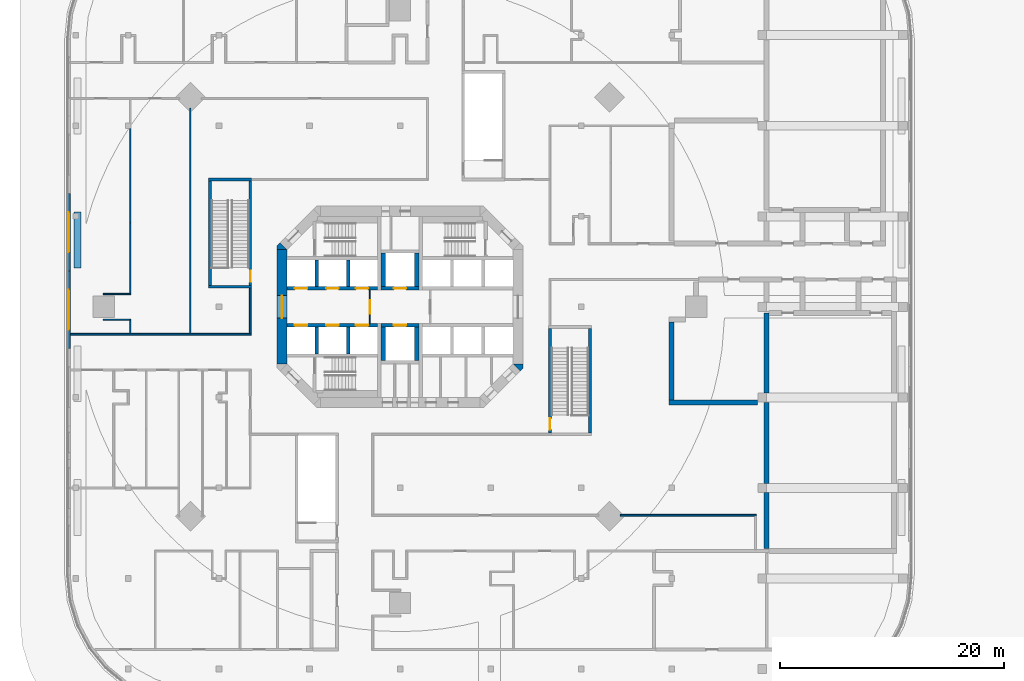
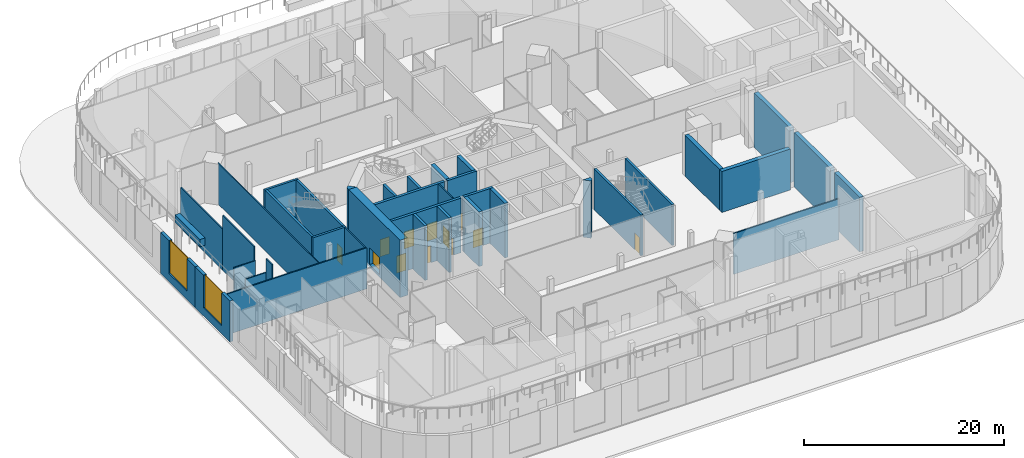
# One storey, part 9 of 17: 39 walls, 12 doors, 2 windows, 14 openings.
"""IFC4 building model written with IfcOpenShell, lengths in metres."""

from ifc_helpers import new_model, si_unit, direction, frame, frame_2d, origin, place, context, subcontext, project, spatial, polyline, rectangle, outline, extrude, material, layer, layer_set, type_object, element, fill, save


model = new_model("IFC4")

# Units and contexts
model_context = context("Model", 3, precision=1e-05, world=origin(), true_north=direction((0.0, 1.0)))
body_context = subcontext(model_context, "Body", "Model", "MODEL_VIEW")
ifc_project = project(units=[si_unit("LENGTHUNIT", "METRE"), si_unit("AREAUNIT", "SQUARE_METRE"), si_unit("VOLUMEUNIT", "CUBIC_METRE"), si_unit("PLANEANGLEUNIT", "RADIAN"), si_unit("MASSUNIT", "GRAM", prefix="KILO")], contexts=[model_context])

# Site, building, storey
site_placement = place(None, origin())
site = spatial("IfcSite", under=ifc_project, at=site_placement, CompositionType="ELEMENT")
building_placement = place(site_placement, origin())
building = spatial("IfcBuilding", under=site, at=building_placement, Name="Torre Triforio", CompositionType="ELEMENT")
storey_placement = place(building_placement, frame((0.0, 0.0, 13.0)))
storey = spatial("IfcBuildingStorey", under=building, at=storey_placement, Name="L02", CompositionType="ELEMENT", Elevation=13.0)

# Wall, opening, door
ifc_material_1 = material(Name="Concrete C60", Category="concrete")
ifc_layer_1 = layer(ifc_material_1, 0.89990234375)
ifc_layer_set_1 = layer_set([ifc_layer_1], Name="Concrete C60")
wall_type_1 = type_object("IfcWallType", Name="Core wall 900 mm C60 EI 120", PredefinedType="SHEAR", material=ifc_layer_set_1)
wall_1_placement = place(storey_placement, frame((-10.550048828125, -5.1298828125, -0.320068359375), z_axis=(0.0, 0.0, 1.0), x_axis=(0.0, 1.0, 0.0)))
wall_1 = element("IfcWall", 1, at=wall_1_placement, inside=storey, type_object=wall_type_1, Name="Core wall", PredefinedType="SHEAR", context=body_context, shape_type="SweptSolid", body=[
    extrude(rectangle(XDim=10.259765625, YDim=0.89990234375, at=frame_2d((5.1298828125, 0.0))), origin(), (0.0, 0.0, 1.0), 7.0),
])
opening_1_placement = place(wall_1_placement, frame((4.1298828125, 0.0, 0.320068359375)))
opening_1 = element("IfcOpeningElement", 2, at=opening_1_placement, cuts=wall_1, Name="Opening W-RING", PredefinedType="OPENING", context=body_context, shape_type="SweptSolid", body=[
    extrude(rectangle(XDim=2.0, YDim=2.10009765625, at=frame_2d((1.0, 1.050048828125))), frame((0.0, 0.4599609375, 0.0), z_axis=(0.0, -1.0, 0.0), x_axis=(1.0, 0.0, 0.0)), (0.0, 0.0, 1.0), 0.919921875),
])
ifc_material_2 = material(Name="Hollow metal fire door leaf")
door_type_1 = type_object("IfcDoorType", Name="Lobby door 2000 x 2100 EI 60", OperationType="DOUBLE_DOOR_SINGLE_SWING", PredefinedType="DOOR", material=ifc_material_2)
door_1_placement = place(opening_1_placement, origin())
door_1 = element("IfcDoor", 3, at=door_1_placement, inside=storey, type_object=door_type_1, Name="Core door W-RING", OperationType="DOUBLE_DOOR_SINGLE_SWING", OverallHeight=2.10009765625, OverallWidth=2.0, PredefinedType="DOOR", context=body_context, shape_type="SweptSolid", body=[
    extrude(rectangle(XDim=2.0, YDim=2.10009765625, at=frame_2d((1.0, 1.050048828125))), frame((0.0, 0.02490234375, 0.0), z_axis=(0.0, -1.0, 0.0), x_axis=(1.0, 0.0, 0.0)), (0.0, 0.0, 1.0), 0.050048828125),
])
fill(opening_1, door_1)

# Walls
wall_2_placement = place(storey_placement, frame((0.0, 0.0, -0.320068359375)))
element("IfcWall", 4, at=wall_2_placement, inside=storey, type_object=wall_type_1, Name="Core wall", PredefinedType="SHEAR", context=body_context, shape_type="SweptSolid", body=[
    extrude(outline(polyline([(11.0, -5.472900390625), (10.736328125, -5.736328125), (10.1298828125, -5.1298828125), (11.0, -5.1298828125), (11.0, -5.472900390625)])), origin(), (0.0, 0.0, 1.0), 7.0),
])
wall_3_placement = place(storey_placement, frame((0.0, 0.0, -0.320068359375)))
element("IfcWall", 5, at=wall_3_placement, inside=storey, type_object=wall_type_1, Name="Core wall", PredefinedType="SHEAR", context=body_context, shape_type="SweptSolid", body=[
    extrude(outline(polyline([(-10.736328125, 5.736328125), (-10.1298828125, 5.1298828125), (-11.0, 5.1298828125), (-11.0, 5.472900390625), (-10.736328125, 5.736328125)])), origin(), (0.0, 0.0, 1.0), 7.0),
])
ifc_material_3 = material(Name="Plasterboard on metal studs")
ifc_layer_2 = layer(ifc_material_3, 0.14990234375)
ifc_layer_set_2 = layer_set([ifc_layer_2], Name="Plasterboard on metal studs")
wall_type_2 = type_object("IfcWallType", Name="Corridor wall 150 EI 60", PredefinedType="PARTITIONING", material=ifc_layer_set_2)
wall_4_placement = place(storey_placement, frame((-13.39990234375, -2.375, 0.0), z_axis=(0.0, 0.0, 1.0), x_axis=(0.0, 1.0, 0.0)))
element("IfcWall", 6, at=wall_4_placement, inside=storey, type_object=wall_type_2, Name="Corridor wall L02 145", PredefinedType="PARTITIONING", context=body_context, shape_type="SweptSolid", body=[
    extrude(rectangle(XDim=4.050048828125, YDim=0.14990234375, at=frame_2d((2.02490234375, 0.0))), origin(), (0.0, 0.0, 1.0), 5.0),
])
wall_5_placement = place(storey_placement, frame((19.6982421875, -18.64990234375, 0.0), z_axis=(0.0, 0.0, 1.0), x_axis=(1.0, 0.0, 0.0)))
element("IfcWall", 7, at=wall_5_placement, inside=storey, type_object=wall_type_2, Name="Corridor wall L02 148", PredefinedType="PARTITIONING", context=body_context, shape_type="SweptSolid", body=[
    extrude(rectangle(XDim=12.1767578125, YDim=0.14990234375, at=frame_2d((6.08837890625, 0.0))), origin(), (0.0, 0.0, 1.0), 5.0),
])
wall_6_placement = place(storey_placement, frame((-29.5, -2.449951171875, 0.0), z_axis=(0.0, 0.0, 1.0), x_axis=(1.0, 0.0, 0.0)))
element("IfcWall", 8, at=wall_6_placement, inside=storey, type_object=wall_type_2, Name="Corridor wall L02 193", PredefinedType="PARTITIONING", context=body_context, shape_type="SweptSolid", body=[
    extrude(rectangle(XDim=16.175048828125, YDim=0.14990234375, at=frame_2d((8.08740234375, 0.0))), origin(), (0.0, 0.0, 1.0), 5.0),
])

# Wall, opening, door
ifc_material_4 = material(Name="Block and board partition")
ifc_layer_3 = layer(ifc_material_4, 0.10009765625)
ifc_layer_set_3 = layer_set([ifc_layer_3], Name="Block and board partition")
wall_type_3 = type_object("IfcWallType", Name="Partition 100 mm EI 120", PredefinedType="PARTITIONING", material=ifc_layer_set_3)
wall_7_placement = place(storey_placement, frame((-2.699951171875, -1.5, 0.0), z_axis=(0.0, 0.0, 1.0), x_axis=(0.0, 1.0, 0.0)))
wall_7 = element("IfcWall", 9, at=wall_7_placement, inside=storey, type_object=wall_type_3, Name="Partition", PredefinedType="PARTITIONING", context=body_context, shape_type="SweptSolid", body=[
    extrude(rectangle(XDim=3.0, YDim=0.10009765625, at=frame_2d((1.5, 0.0))), origin(), (0.0, 0.0, 1.0), 6.679931640625),
])
opening_2_placement = place(wall_7_placement, frame((0.89990234375, 0.0, 0.0)))
opening_2 = element("IfcOpeningElement", 10, at=opening_2_placement, cuts=wall_7, Name="Opening FF-W", PredefinedType="OPENING", context=body_context, shape_type="SweptSolid", body=[
    extrude(rectangle(XDim=1.199951171875, YDim=2.10009765625, at=frame_2d((0.60009765625, 1.050048828125))), frame((0.0, 0.06005859375, 0.0), z_axis=(0.0, -1.0, 0.0), x_axis=(1.0, 0.0, 0.0)), (0.0, 0.0, 1.0), 0.1201171875),
])
door_type_2 = type_object("IfcDoorType", Name="Fire-fighting lobby door 1200 x 2100 EI 60", OperationType="NOTDEFINED", PredefinedType="DOOR", material=ifc_material_2)
door_2_placement = place(opening_2_placement, origin())
door_2 = element("IfcDoor", 11, at=door_2_placement, inside=storey, type_object=door_type_2, Name="Core door FF-W", OperationType="SINGLE_SWING_RIGHT", OverallHeight=2.10009765625, OverallWidth=1.199951171875, PredefinedType="DOOR", context=body_context, shape_type="SweptSolid", body=[
    extrude(rectangle(XDim=1.199951171875, YDim=2.10009765625, at=frame_2d((0.60009765625, 1.050048828125))), frame((0.0, 0.02490234375, 0.0), z_axis=(0.0, -1.0, 0.0), x_axis=(1.0, 0.0, 0.0)), (0.0, 0.0, 1.0), 0.050048828125),
])
fill(opening_2, door_2)

# Walls
ifc_layer_4 = layer(ifc_material_3, 0.1201171875)
ifc_layer_set_4 = layer_set([ifc_layer_4], Name="Plasterboard on metal studs")
wall_type_4 = type_object("IfcWallType", Name="Partition 120", PredefinedType="PARTITIONING", material=ifc_layer_set_4)
for number, where, z_axis, x_axis, name in (
    (12, (-26.56005859375, -1.14990234375, 0.0), (0.0, 0.0, 1.0), (1.0, 0.0, 0.0), "Partition L02 187"),
    (13, (-26.56005859375, 1.14990234375, 0.0), (0.0, 0.0, 1.0), (1.0, 0.0, 0.0), "Partition L02 188"),
):
    element("IfcWall", number, at=place(storey_placement, frame(where, z_axis=z_axis, x_axis=x_axis)), inside=storey, type_object=wall_type_4, Name=name, PredefinedType="PARTITIONING", context=body_context, shape_type="SweptSolid", body=[
        extrude(rectangle(XDim=2.48681640625, YDim=0.1201171875, at=frame_2d((1.243408203125, 0.0))), origin(), (0.0, 0.0, 1.0), 5.0),
    ])
wall_8_placement = place(storey_placement, frame((-24.13330078125, -2.375, 0.0), z_axis=(0.0, 0.0, 1.0), x_axis=(0.0, 1.0, 0.0)))
element("IfcWall", 14, at=wall_8_placement, inside=storey, type_object=wall_type_4, Name="Partition L02 189", PredefinedType="PARTITIONING", context=body_context, shape_type="SweptSolid", body=[
    extrude(rectangle(XDim=1.1650390625, YDim=0.1201171875, at=frame_2d((0.58251953125, 0.0))), origin(), (0.0, 0.0, 1.0), 6.679931640625),
])
wall_9_placement = place(storey_placement, frame((-24.13330078125, 1.2099609375, 0.0), z_axis=(0.0, 0.0, 1.0), x_axis=(0.0, 1.0, 0.0)))
element("IfcWall", 15, at=wall_9_placement, inside=storey, type_object=wall_type_4, Name="Partition L02 190", PredefinedType="PARTITIONING", context=body_context, shape_type="SweptSolid", body=[
    extrude(rectangle(XDim=6.30810546875, YDim=0.1201171875, at=frame_2d((3.154052734375, 0.0))), origin(), (0.0, 0.0, 1.0), 6.679931640625),
])
wall_10_placement = place(storey_placement, frame((-24.13330078125, 7.51806640625, 0.0), z_axis=(0.0, 0.0, 1.0), x_axis=(0.0, 1.0, 0.0)))
element("IfcWall", 16, at=wall_10_placement, inside=storey, type_object=wall_type_4, Name="Partition L02 191", PredefinedType="PARTITIONING", context=body_context, shape_type="SweptSolid", body=[
    extrude(rectangle(XDim=8.421875, YDim=0.1201171875, at=frame_2d((4.2109375, 0.0))), origin(), (0.0, 0.0, 1.0), 5.0),
])
wall_11_placement = place(storey_placement, frame((-18.7666015625, -2.375, 0.0), z_axis=(0.0, 0.0, 1.0), x_axis=(0.0, 1.0, 0.0)))
element("IfcWall", 17, at=wall_11_placement, inside=storey, type_object=wall_type_4, Name="Partition L02 194", PredefinedType="PARTITIONING", context=body_context, shape_type="SweptSolid", body=[
    extrude(rectangle(XDim=20.1533203125, YDim=0.1201171875, at=frame_2d((10.07666015625, 0.0))), origin(), (0.0, 0.0, 1.0), 5.0),
])

# Wall, openings, doors
ifc_layer_5 = layer(ifc_material_1, 0.300048828125)
ifc_layer_set_5 = layer_set([ifc_layer_5], Name="Concrete C60")
wall_type_5 = type_object("IfcWallType", Name="Shaft wall 300 mm C60 EI 120", PredefinedType="SOLIDWALL", material=ifc_layer_set_5)
wall_12_placement = place(storey_placement, frame((-10.10009765625, 1.64990234375, 0.0), z_axis=(0.0, 0.0, 1.0), x_axis=(1.0, 0.0, 0.0)))
wall_12 = element("IfcWall", 18, at=wall_12_placement, inside=storey, type_object=wall_type_5, Name="Shaft wall", PredefinedType="SOLIDWALL", context=body_context, shape_type="SweptSolid", body=[
    extrude(rectangle(XDim=8.10009765625, YDim=0.300048828125, at=frame_2d((4.050048828125, 0.0))), origin(), (0.0, 0.0, 1.0), 6.679931640625),
])
opening_3_placement = place(wall_12_placement, frame((0.699951171875, 0.0, 0.0)))
opening_3 = element("IfcOpeningElement", 19, at=opening_3_placement, cuts=wall_12, Name="Opening LD", PredefinedType="OPENING", context=body_context, shape_type="SweptSolid", body=[
    extrude(rectangle(XDim=1.10009765625, YDim=2.10009765625, at=frame_2d((0.550048828125, 1.050048828125))), frame((0.0, 0.159912109375, 0.0), z_axis=(0.0, -1.0, 0.0), x_axis=(1.0, 0.0, 0.0)), (0.0, 0.0, 1.0), 0.320068359375),
])
opening_4_placement = place(wall_12_placement, frame((3.5, 0.0, 0.0)))
opening_4 = element("IfcOpeningElement", 20, at=opening_4_placement, cuts=wall_12, Name="Opening LD", PredefinedType="OPENING", context=body_context, shape_type="SweptSolid", body=[
    extrude(rectangle(XDim=1.10009765625, YDim=2.10009765625, at=frame_2d((0.550048828125, 1.050048828125))), frame((0.0, 0.159912109375, 0.0), z_axis=(0.0, -1.0, 0.0), x_axis=(1.0, 0.0, 0.0)), (0.0, 0.0, 1.0), 0.320068359375),
])
opening_5_placement = place(wall_12_placement, frame((6.14990234375, 0.0, 0.0)))
opening_5 = element("IfcOpeningElement", 21, at=opening_5_placement, cuts=wall_12, Name="Opening LD", PredefinedType="OPENING", context=body_context, shape_type="SweptSolid", body=[
    extrude(rectangle(XDim=1.10009765625, YDim=2.10009765625, at=frame_2d((0.550048828125, 1.050048828125))), frame((0.0, 0.159912109375, 0.0), z_axis=(0.0, -1.0, 0.0), x_axis=(1.0, 0.0, 0.0)), (0.0, 0.0, 1.0), 0.320068359375),
])
door_type_3 = type_object("IfcDoorType", Name="Landing door 1100 x 2100 EI 60", OperationType="DOUBLE_DOOR_SLIDING", PredefinedType="DOOR", material=ifc_material_2)
door_3_placement = place(opening_3_placement, origin())
door_3 = element("IfcDoor", 22, at=door_3_placement, inside=storey, type_object=door_type_3, Name="Landing door LR1", OperationType="DOUBLE_DOOR_SLIDING", OverallHeight=2.10009765625, OverallWidth=1.10009765625, PredefinedType="DOOR", context=body_context, shape_type="SweptSolid", body=[
    extrude(rectangle(XDim=1.10009765625, YDim=2.10009765625, at=frame_2d((0.550048828125, 1.050048828125))), frame((0.0, 0.02490234375, 0.0), z_axis=(0.0, -1.0, 0.0), x_axis=(1.0, 0.0, 0.0)), (0.0, 0.0, 1.0), 0.050048828125),
])
fill(opening_3, door_3)
door_4_placement = place(opening_4_placement, origin())
door_4 = element("IfcDoor", 23, at=door_4_placement, inside=storey, type_object=door_type_3, Name="Landing door LR2", OperationType="DOUBLE_DOOR_SLIDING", OverallHeight=2.10009765625, OverallWidth=1.10009765625, PredefinedType="DOOR", context=body_context, shape_type="SweptSolid", body=[
    extrude(rectangle(XDim=1.10009765625, YDim=2.10009765625, at=frame_2d((0.550048828125, 1.050048828125))), frame((0.0, 0.02490234375, 0.0), z_axis=(0.0, -1.0, 0.0), x_axis=(1.0, 0.0, 0.0)), (0.0, 0.0, 1.0), 0.050048828125),
])
fill(opening_4, door_4)
door_5_placement = place(opening_5_placement, origin())
door_5 = element("IfcDoor", 24, at=door_5_placement, inside=storey, type_object=door_type_3, Name="Landing door LR3", OperationType="DOUBLE_DOOR_SLIDING", OverallHeight=2.10009765625, OverallWidth=1.10009765625, PredefinedType="DOOR", context=body_context, shape_type="SweptSolid", body=[
    extrude(rectangle(XDim=1.10009765625, YDim=2.10009765625, at=frame_2d((0.550048828125, 1.050048828125))), frame((0.0, 0.02490234375, 0.0), z_axis=(0.0, -1.0, 0.0), x_axis=(1.0, 0.0, 0.0)), (0.0, 0.0, 1.0), 0.050048828125),
])
fill(opening_5, door_5)

wall_13_placement = place(storey_placement, frame((-10.10009765625, -1.64990234375, 0.0), z_axis=(0.0, 0.0, 1.0), x_axis=(1.0, 0.0, 0.0)))
wall_13 = element("IfcWall", 25, at=wall_13_placement, inside=storey, type_object=wall_type_5, Name="Shaft wall", PredefinedType="SOLIDWALL", context=body_context, shape_type="SweptSolid", body=[
    extrude(rectangle(XDim=8.10009765625, YDim=0.300048828125, at=frame_2d((4.050048828125, 0.0))), origin(), (0.0, 0.0, 1.0), 6.679931640625),
])
opening_6_placement = place(wall_13_placement, frame((0.699951171875, 0.0, 0.0)))
opening_6 = element("IfcOpeningElement", 26, at=opening_6_placement, cuts=wall_13, Name="Opening LD", PredefinedType="OPENING", context=body_context, shape_type="SweptSolid", body=[
    extrude(rectangle(XDim=1.10009765625, YDim=2.10009765625, at=frame_2d((0.550048828125, 1.050048828125))), frame((0.0, 0.159912109375, 0.0), z_axis=(0.0, -1.0, 0.0), x_axis=(1.0, 0.0, 0.0)), (0.0, 0.0, 1.0), 0.320068359375),
])
opening_7_placement = place(wall_13_placement, frame((3.5, 0.0, 0.0)))
opening_7 = element("IfcOpeningElement", 27, at=opening_7_placement, cuts=wall_13, Name="Opening LD", PredefinedType="OPENING", context=body_context, shape_type="SweptSolid", body=[
    extrude(rectangle(XDim=1.10009765625, YDim=2.10009765625, at=frame_2d((0.550048828125, 1.050048828125))), frame((0.0, 0.159912109375, 0.0), z_axis=(0.0, -1.0, 0.0), x_axis=(1.0, 0.0, 0.0)), (0.0, 0.0, 1.0), 0.320068359375),
])
opening_8_placement = place(wall_13_placement, frame((6.14990234375, 0.0, 0.0)))
opening_8 = element("IfcOpeningElement", 28, at=opening_8_placement, cuts=wall_13, Name="Opening LD", PredefinedType="OPENING", context=body_context, shape_type="SweptSolid", body=[
    extrude(rectangle(XDim=1.10009765625, YDim=2.10009765625, at=frame_2d((0.550048828125, 1.050048828125))), frame((0.0, 0.159912109375, 0.0), z_axis=(0.0, -1.0, 0.0), x_axis=(1.0, 0.0, 0.0)), (0.0, 0.0, 1.0), 0.320068359375),
])
door_6_placement = place(opening_6_placement, origin())
door_6 = element("IfcDoor", 29, at=door_6_placement, inside=storey, type_object=door_type_3, Name="Landing door LR4", OperationType="DOUBLE_DOOR_SLIDING", OverallHeight=2.10009765625, OverallWidth=1.10009765625, PredefinedType="DOOR", context=body_context, shape_type="SweptSolid", body=[
    extrude(rectangle(XDim=1.10009765625, YDim=2.10009765625, at=frame_2d((0.550048828125, 1.050048828125))), frame((0.0, 0.02490234375, 0.0), z_axis=(0.0, -1.0, 0.0), x_axis=(1.0, 0.0, 0.0)), (0.0, 0.0, 1.0), 0.050048828125),
])
fill(opening_6, door_6)
door_7_placement = place(opening_7_placement, origin())
door_7 = element("IfcDoor", 30, at=door_7_placement, inside=storey, type_object=door_type_3, Name="Landing door LR5", OperationType="DOUBLE_DOOR_SLIDING", OverallHeight=2.10009765625, OverallWidth=1.10009765625, PredefinedType="DOOR", context=body_context, shape_type="SweptSolid", body=[
    extrude(rectangle(XDim=1.10009765625, YDim=2.10009765625, at=frame_2d((0.550048828125, 1.050048828125))), frame((0.0, 0.02490234375, 0.0), z_axis=(0.0, -1.0, 0.0), x_axis=(1.0, 0.0, 0.0)), (0.0, 0.0, 1.0), 0.050048828125),
])
fill(opening_7, door_7)
door_8_placement = place(opening_8_placement, origin())
door_8 = element("IfcDoor", 31, at=door_8_placement, inside=storey, type_object=door_type_3, Name="Landing door LR6", OperationType="DOUBLE_DOOR_SLIDING", OverallHeight=2.10009765625, OverallWidth=1.10009765625, PredefinedType="DOOR", context=body_context, shape_type="SweptSolid", body=[
    extrude(rectangle(XDim=1.10009765625, YDim=2.10009765625, at=frame_2d((0.550048828125, 1.050048828125))), frame((0.0, 0.02490234375, 0.0), z_axis=(0.0, -1.0, 0.0), x_axis=(1.0, 0.0, 0.0)), (0.0, 0.0, 1.0), 0.050048828125),
])
fill(opening_8, door_8)

# Walls
for number, where, z_axis, x_axis, name in (
    (32, (-7.449951171875, 1.800048828125, 0.0), (0.0, 0.0, 1.0), (0.0, 1.0, 0.0), "Shaft wall"),
    (33, (-7.449951171875, -4.199951171875, 0.0), (0.0, 0.0, 1.0), (0.0, 1.0, 0.0), "Shaft wall"),
    (34, (-4.64990234375, 1.800048828125, 0.0), (0.0, 0.0, 1.0), (0.0, 1.0, 0.0), "Shaft wall"),
    (35, (-4.64990234375, -4.199951171875, 0.0), (0.0, 0.0, 1.0), (0.0, 1.0, 0.0), "Shaft wall"),
):
    element("IfcWall", number, at=place(storey_placement, frame(where, z_axis=z_axis, x_axis=x_axis)), inside=storey, type_object=wall_type_5, Name=name, PredefinedType="SOLIDWALL", context=body_context, shape_type="SweptSolid", body=[
        extrude(rectangle(XDim=2.39990234375, YDim=0.300048828125, at=frame_2d((1.199951171875, 0.0))), origin(), (0.0, 0.0, 1.0), 6.679931640625),
    ])

# Wall, opening, door
wall_14_placement = place(storey_placement, frame((-1.699951171875, 1.64990234375, 0.0), z_axis=(0.0, 0.0, 1.0), x_axis=(1.0, 0.0, 0.0)))
wall_14 = element("IfcWall", 36, at=wall_14_placement, inside=storey, type_object=wall_type_5, Name="Shaft wall", PredefinedType="SOLIDWALL", context=body_context, shape_type="SweptSolid", body=[
    extrude(rectangle(XDim=3.39990234375, YDim=0.300048828125, at=frame_2d((1.699951171875, 0.0))), origin(), (0.0, 0.0, 1.0), 6.679931640625),
])
opening_9_placement = place(wall_14_placement, frame((1.14990234375, 0.0, 0.0)))
opening_9 = element("IfcOpeningElement", 37, at=opening_9_placement, cuts=wall_14, Name="Opening LD", PredefinedType="OPENING", context=body_context, shape_type="SweptSolid", body=[
    extrude(rectangle(XDim=1.10009765625, YDim=2.10009765625, at=frame_2d((0.550048828125, 1.050048828125))), frame((0.0, 0.159912109375, 0.0), z_axis=(0.0, -1.0, 0.0), x_axis=(1.0, 0.0, 0.0)), (0.0, 0.0, 1.0), 0.320068359375),
])
door_9_placement = place(opening_9_placement, origin())
door_9 = element("IfcDoor", 38, at=door_9_placement, inside=storey, type_object=door_type_3, Name="Landing door FFL1", OperationType="DOUBLE_DOOR_SLIDING", OverallHeight=2.10009765625, OverallWidth=1.10009765625, PredefinedType="DOOR", context=body_context, shape_type="SweptSolid", body=[
    extrude(rectangle(XDim=1.10009765625, YDim=2.10009765625, at=frame_2d((0.550048828125, 1.050048828125))), frame((0.0, 0.02490234375, 0.0), z_axis=(0.0, -1.0, 0.0), x_axis=(1.0, 0.0, 0.0)), (0.0, 0.0, 1.0), 0.050048828125),
])
fill(opening_9, door_9)

wall_15_placement = place(storey_placement, frame((-1.699951171875, -1.64990234375, 0.0), z_axis=(0.0, 0.0, 1.0), x_axis=(1.0, 0.0, 0.0)))
wall_15 = element("IfcWall", 39, at=wall_15_placement, inside=storey, type_object=wall_type_5, Name="Shaft wall", PredefinedType="SOLIDWALL", context=body_context, shape_type="SweptSolid", body=[
    extrude(rectangle(XDim=3.39990234375, YDim=0.300048828125, at=frame_2d((1.699951171875, 0.0))), origin(), (0.0, 0.0, 1.0), 6.679931640625),
])
opening_10_placement = place(wall_15_placement, frame((1.14990234375, 0.0, 0.0)))
opening_10 = element("IfcOpeningElement", 40, at=opening_10_placement, cuts=wall_15, Name="Opening LD", PredefinedType="OPENING", context=body_context, shape_type="SweptSolid", body=[
    extrude(rectangle(XDim=1.10009765625, YDim=2.10009765625, at=frame_2d((0.550048828125, 1.050048828125))), frame((0.0, 0.159912109375, 0.0), z_axis=(0.0, -1.0, 0.0), x_axis=(1.0, 0.0, 0.0)), (0.0, 0.0, 1.0), 0.320068359375),
])
door_10_placement = place(opening_10_placement, origin())
door_10 = element("IfcDoor", 41, at=door_10_placement, inside=storey, type_object=door_type_3, Name="Landing door FFL2", OperationType="DOUBLE_DOOR_SLIDING", OverallHeight=2.10009765625, OverallWidth=1.10009765625, PredefinedType="DOOR", context=body_context, shape_type="SweptSolid", body=[
    extrude(rectangle(XDim=1.10009765625, YDim=2.10009765625, at=frame_2d((0.550048828125, 1.050048828125))), frame((0.0, 0.02490234375, 0.0), z_axis=(0.0, -1.0, 0.0), x_axis=(1.0, 0.0, 0.0)), (0.0, 0.0, 1.0), 0.050048828125),
])
fill(opening_10, door_10)

# Walls
ifc_layer_6 = layer(ifc_material_1, 0.39990234375)
ifc_layer_set_6 = layer_set([ifc_layer_6], Name="Concrete C60")
wall_type_6 = type_object("IfcWallType", Name="Shaft wall 400 mm C60 EI 120", PredefinedType="SOLIDWALL", material=ifc_layer_set_6)
for number, where, z_axis, x_axis, name in (
    (42, (-1.5, 1.800048828125, 0.0), (0.0, 0.0, 1.0), (0.0, 1.0, 0.0), "Shaft wall"),
    (43, (-1.5, -4.800048828125, 0.0), (0.0, 0.0, 1.0), (0.0, 1.0, 0.0), "Shaft wall"),
    (44, (1.5, 1.800048828125, 0.0), (0.0, 0.0, 1.0), (0.0, 1.0, 0.0), "Shaft wall"),
    (45, (1.5, -4.800048828125, 0.0), (0.0, 0.0, 1.0), (0.0, 1.0, 0.0), "Shaft wall"),
):
    element("IfcWall", number, at=place(storey_placement, frame(where, z_axis=z_axis, x_axis=x_axis)), inside=storey, type_object=wall_type_6, Name=name, PredefinedType="SOLIDWALL", context=body_context, shape_type="SweptSolid", body=[
        extrude(rectangle(XDim=3.0, YDim=0.39990234375, at=frame_2d((1.5, 0.0))), origin(), (0.0, 0.0, 1.0), 6.679931640625),
    ])

# Wall, opening, door
ifc_material_5 = material(Name="Concrete C40", Category="concrete")
ifc_layer_7 = layer(ifc_material_5, 0.25)
ifc_layer_set_7 = layer_set([ifc_layer_7], Name="Concrete C40")
wall_type_7 = type_object("IfcWallType", Name="Stair enclosure wall 250 EI 120", PredefinedType="STANDARD", material=ifc_layer_set_7)
wall_16_placement = place(storey_placement, frame((-13.39990234375, 1.925048828125, 0.0), z_axis=(0.0, 0.0, 1.0), x_axis=(0.0, 1.0, 0.0)))
wall_16 = element("IfcWall", 46, at=wall_16_placement, inside=storey, type_object=wall_type_7, Name="Stair enclosure wall L02 128", PredefinedType="STANDARD", context=body_context, shape_type="SweptSolid", body=[
    extrude(rectangle(XDim=9.349853515625, YDim=0.25, at=frame_2d((4.6748046875, 0.0))), origin(), (0.0, 0.0, 1.0), 5.0),
])
opening_11_placement = place(wall_16_placement, frame((0.300048828125, 0.0, 0.0)))
opening_11 = element("IfcOpeningElement", 47, at=opening_11_placement, cuts=wall_16, Name="Opening P2-01", PredefinedType="OPENING", context=body_context, shape_type="SweptSolid", body=[
    extrude(rectangle(XDim=1.0, YDim=2.10009765625, at=frame_2d((0.5, 1.050048828125))), frame((0.0, 0.135009765625, 0.0), z_axis=(0.0, -1.0, 0.0), x_axis=(1.0, 0.0, 0.0)), (0.0, 0.0, 1.0), 0.27001953125),
])
door_type_4 = type_object("IfcDoorType", Name="Stair door 1000 x 2100 EI 90", OperationType="NOTDEFINED", PredefinedType="DOOR", material=ifc_material_2)
door_11_placement = place(opening_11_placement, origin())
door_11 = element("IfcDoor", 48, at=door_11_placement, inside=storey, type_object=door_type_4, Name="Door P2-01", OperationType="SINGLE_SWING_LEFT", OverallHeight=2.10009765625, OverallWidth=1.0, PredefinedType="DOOR", context=body_context, shape_type="SweptSolid", body=[
    extrude(rectangle(XDim=1.0, YDim=2.10009765625, at=frame_2d((0.5, 1.050048828125))), frame((0.0, 0.02490234375, 0.0), z_axis=(0.0, -1.0, 0.0), x_axis=(1.0, 0.0, 0.0)), (0.0, 0.0, 1.0), 0.050048828125),
])
fill(opening_11, door_11)

# Walls
for number, where, z_axis, x_axis, name in (
    (49, (-17.125, 1.800048828125, 0.0), (0.0, 0.0, 1.0), (1.0, 0.0, 0.0), "Stair enclosure wall L02 129"),
    (50, (-17.125, 11.39990234375, 0.0), (0.0, 0.0, 1.0), (1.0, 0.0, 0.0), "Stair enclosure wall L02 130"),
):
    element("IfcWall", number, at=place(storey_placement, frame(where, z_axis=z_axis, x_axis=x_axis)), inside=storey, type_object=wall_type_7, Name=name, PredefinedType="STANDARD", context=body_context, shape_type="SweptSolid", body=[
        extrude(rectangle(XDim=3.85009765625, YDim=0.25, at=frame_2d((1.925048828125, 0.0))), origin(), (0.0, 0.0, 1.0), 5.0),
    ])
wall_17_placement = place(storey_placement, frame((-17.0, 1.925048828125, 0.0), z_axis=(0.0, 0.0, 1.0), x_axis=(0.0, 1.0, 0.0)))
element("IfcWall", 51, at=wall_17_placement, inside=storey, type_object=wall_type_7, Name="Stair enclosure wall L02 131", PredefinedType="STANDARD", context=body_context, shape_type="SweptSolid", body=[
    extrude(rectangle(XDim=9.349853515625, YDim=0.25, at=frame_2d((4.6748046875, 0.0))), origin(), (0.0, 0.0, 1.0), 5.0),
])

# Wall, opening, door
wall_18_placement = place(storey_placement, frame((13.39990234375, -11.27490234375, 0.0), z_axis=(0.0, 0.0, 1.0), x_axis=(0.0, 1.0, 0.0)))
wall_18 = element("IfcWall", 52, at=wall_18_placement, inside=storey, type_object=wall_type_7, Name="Stair enclosure wall L02 132", PredefinedType="STANDARD", context=body_context, shape_type="SweptSolid", body=[
    extrude(rectangle(XDim=9.349853515625, YDim=0.25, at=frame_2d((4.6748046875, 0.0))), origin(), (0.0, 0.0, 1.0), 5.0),
])
opening_12_placement = place(wall_18_placement, frame((0.300048828125, 0.0, 0.0)))
opening_12 = element("IfcOpeningElement", 53, at=opening_12_placement, cuts=wall_18, Name="Opening P2-02", PredefinedType="OPENING", context=body_context, shape_type="SweptSolid", body=[
    extrude(rectangle(XDim=1.0, YDim=2.10009765625, at=frame_2d((0.5, 1.050048828125))), frame((0.0, 0.135009765625, 0.0), z_axis=(0.0, -1.0, 0.0), x_axis=(1.0, 0.0, 0.0)), (0.0, 0.0, 1.0), 0.27001953125),
])
door_12_placement = place(opening_12_placement, origin())
door_12 = element("IfcDoor", 54, at=door_12_placement, inside=storey, type_object=door_type_4, Name="Door P2-02", OperationType="SINGLE_SWING_LEFT", OverallHeight=2.10009765625, OverallWidth=1.0, PredefinedType="DOOR", context=body_context, shape_type="SweptSolid", body=[
    extrude(rectangle(XDim=1.0, YDim=2.10009765625, at=frame_2d((0.5, 1.050048828125))), frame((0.0, 0.02490234375, 0.0), z_axis=(0.0, -1.0, 0.0), x_axis=(1.0, 0.0, 0.0)), (0.0, 0.0, 1.0), 0.050048828125),
])
fill(opening_12, door_12)

# Wall
wall_19_placement = place(storey_placement, frame((17.0, -11.27490234375, 0.0), z_axis=(0.0, 0.0, 1.0), x_axis=(0.0, 1.0, 0.0)))
element("IfcWall", 55, at=wall_19_placement, inside=storey, type_object=wall_type_7, Name="Stair enclosure wall L02 135", PredefinedType="STANDARD", context=body_context, shape_type="SweptSolid", body=[
    extrude(rectangle(XDim=9.349853515625, YDim=0.25, at=frame_2d((4.6748046875, 0.0))), origin(), (0.0, 0.0, 1.0), 5.0),
])

# Wall, opening, window
ifc_material_6 = material(Name="Limestone cladding", Category="masonry")
ifc_layer_8 = layer(ifc_material_6, 0.10009765625)
ifc_layer_9 = layer(ifc_material_5, 0.25)
ifc_layer_set_8 = layer_set([ifc_layer_8, ifc_layer_9], Name="Limestone cladding / Concrete C40")
wall_type_8 = type_object("IfcWallType", Name="Stone-clad podium wall 350", PredefinedType="STANDARD", material=ifc_layer_set_8)
wall_20_placement = place(storey_placement, frame((-29.675048828125, 10.13037109375, 0.0), z_axis=(0.0, 0.0, 1.0), x_axis=(0.0, -1.0, 0.0)))
wall_20 = element("IfcWall", 56, at=wall_20_placement, inside=storey, type_object=wall_type_8, Name="External wall L02 e26.0.w2", PredefinedType="STANDARD", context=body_context, shape_type="SweptSolid", body=[
    extrude(rectangle(XDim=6.9267578125, YDim=0.35009765625, at=frame_2d((3.46337890625, 0.0))), origin(), (0.0, 0.0, 1.0), 5.0),
])
opening_13_placement = place(wall_20_placement, frame((1.663330078125, 0.0, 1.0)))
opening_13 = element("IfcOpeningElement", 57, at=opening_13_placement, cuts=wall_20, Name="Opening P2-W12", PredefinedType="OPENING", context=body_context, shape_type="SweptSolid", body=[
    extrude(rectangle(XDim=3.60009765625, YDim=4.0, at=frame_2d((1.800048828125, 2.0))), frame((0.0, 0.18505859375, 0.0), z_axis=(0.0, -1.0, 0.0), x_axis=(1.0, 0.0, 0.0)), (0.0, 0.0, 1.0), 0.3701171875),
])
ifc_material_7 = material(Name="Aluminium frame with clear double glazing", Category="aluminium")
window_type = type_object("IfcWindowType", Name="Podium window 3600 x 4000", PartitioningType="DOUBLE_PANEL_VERTICAL", PredefinedType="WINDOW", material=ifc_material_7)
window_1_placement = place(opening_13_placement, origin())
window_1 = element("IfcWindow", 58, at=window_1_placement, inside=storey, type_object=window_type, Name="Window L02 e26.0.w2", OverallHeight=4.0, OverallWidth=3.60009765625, PartitioningType="SINGLE_PANEL", PredefinedType="WINDOW", context=body_context, shape_type="SweptSolid", body=[
    extrude(rectangle(XDim=3.60009765625, YDim=4.0, at=frame_2d((1.800048828125, 2.0))), frame((0.0, 0.030029296875, 0.0), z_axis=(0.0, -1.0, 0.0), x_axis=(1.0, 0.0, 0.0)), (0.0, 0.0, 1.0), 0.06005859375),
])
fill(opening_13, window_1)

wall_21_placement = place(storey_placement, frame((-29.675048828125, 3.20361328125, 0.0), z_axis=(0.0, 0.0, 1.0), x_axis=(0.0, -1.0, 0.0)))
wall_21 = element("IfcWall", 59, at=wall_21_placement, inside=storey, type_object=wall_type_8, Name="External wall L02 e26.0.w3", PredefinedType="STANDARD", context=body_context, shape_type="SweptSolid", body=[
    extrude(rectangle(XDim=6.9267578125, YDim=0.35009765625, at=frame_2d((3.46337890625, 0.0))), origin(), (0.0, 0.0, 1.0), 5.0),
])
opening_14_placement = place(wall_21_placement, frame((1.663330078125, 0.0, 1.0)))
opening_14 = element("IfcOpeningElement", 60, at=opening_14_placement, cuts=wall_21, Name="Opening P2-W13", PredefinedType="OPENING", context=body_context, shape_type="SweptSolid", body=[
    extrude(rectangle(XDim=3.60009765625, YDim=4.0, at=frame_2d((1.800048828125, 2.0))), frame((0.0, 0.18505859375, 0.0), z_axis=(0.0, -1.0, 0.0), x_axis=(1.0, 0.0, 0.0)), (0.0, 0.0, 1.0), 0.3701171875),
])
window_2_placement = place(opening_14_placement, origin())
window_2 = element("IfcWindow", 61, at=window_2_placement, inside=storey, type_object=window_type, Name="Window L02 e26.0.w3", OverallHeight=4.0, OverallWidth=3.60009765625, PartitioningType="SINGLE_PANEL", PredefinedType="WINDOW", context=body_context, shape_type="SweptSolid", body=[
    extrude(rectangle(XDim=3.60009765625, YDim=4.0, at=frame_2d((1.800048828125, 2.0))), frame((0.0, 0.030029296875, 0.0), z_axis=(0.0, -1.0, 0.0), x_axis=(1.0, 0.0, 0.0)), (0.0, 0.0, 1.0), 0.06005859375),
])
fill(opening_14, window_2)

# Walls
ifc_material_8 = material(Name="Double leaf masonry acoustic wall", Category="masonry")
ifc_layer_10 = layer(ifc_material_8, 0.449951171875)
ifc_layer_set_9 = layer_set([ifc_layer_10], Name="Double leaf masonry acoustic wall")
wall_type_9 = type_object("IfcWallType", Name="Studio sound wall 450 EI 60", PredefinedType="PARTITIONING", material=ifc_layer_set_9)
wall_22_placement = place(storey_placement, frame((24.074951171875, -8.550048828125, 0.0), z_axis=(0.0, 0.0, 1.0), x_axis=(1.0, 0.0, 0.0)))
element("IfcWall", 62, at=wall_22_placement, inside=storey, type_object=wall_type_9, Name="Studio sound wall L02 014", PredefinedType="PARTITIONING", context=body_context, shape_type="SweptSolid", body=[
    extrude(rectangle(XDim=7.9150390625, YDim=0.449951171875, at=frame_2d((3.95751953125, 0.0))), origin(), (0.0, 0.0, 1.0), 5.0),
])
wall_23_placement = place(storey_placement, frame((24.300048828125, -8.324951171875, 0.0), z_axis=(0.0, 0.0, 1.0), x_axis=(0.0, 1.0, 0.0)))
element("IfcWall", 63, at=wall_23_placement, inside=storey, type_object=wall_type_9, Name="Studio sound wall L02 016", PredefinedType="PARTITIONING", context=body_context, shape_type="SweptSolid", body=[
    extrude(rectangle(XDim=6.949951171875, YDim=0.449951171875, at=frame_2d((3.47509765625, 0.0))), origin(), (0.0, 0.0, 1.0), 5.0),
])
wall_24_placement = place(storey_placement, frame((32.800048828125, -7.68994140625, 0.0), z_axis=(0.0, 0.0, 1.0), x_axis=(0.0, 1.0, 0.0)))
element("IfcWall", 64, at=wall_24_placement, inside=storey, type_object=wall_type_9, Name="Studio sound wall L02 018", PredefinedType="PARTITIONING", context=body_context, shape_type="SweptSolid", body=[
    extrude(rectangle(XDim=7.139892578125, YDim=0.449951171875, at=frame_2d((3.56982421875, 0.0))), origin(), (0.0, 0.0, 1.0), 6.679931640625),
])
wall_25_placement = place(storey_placement, frame((32.800048828125, -21.625, 0.0), z_axis=(0.0, 0.0, 1.0), x_axis=(0.0, 1.0, 0.0)))
element("IfcWall", 65, at=wall_25_placement, inside=storey, type_object=wall_type_9, Name="Studio sound wall L02 157", PredefinedType="PARTITIONING", context=body_context, shape_type="SweptSolid", body=[
    extrude(rectangle(XDim=5.014892578125, YDim=0.449951171875, at=frame_2d((2.50732421875, 0.0))), origin(), (0.0, 0.0, 1.0), 6.679931640625),
])
wall_26_placement = place(storey_placement, frame((32.800048828125, -15.7900390625, 0.0), z_axis=(0.0, 0.0, 1.0), x_axis=(0.0, 1.0, 0.0)))
element("IfcWall", 66, at=wall_26_placement, inside=storey, type_object=wall_type_9, Name="Studio sound wall L02 158", PredefinedType="PARTITIONING", context=body_context, shape_type="SweptSolid", body=[
    extrude(rectangle(XDim=7.239990234375, YDim=0.449951171875, at=frame_2d((3.6201171875, 0.0))), origin(), (0.0, 0.0, 1.0), 6.679931640625),
])
ifc_layer_11 = layer(ifc_material_6, 0.10009765625)
ifc_layer_12 = layer(ifc_material_5, 0.5)
ifc_layer_set_10 = layer_set([ifc_layer_11, ifc_layer_12], Name="Limestone cladding / Concrete C40")
wall_type_10 = type_object("IfcWallType", Name="Terrace planter wall 600", PredefinedType="PARAPET", material=ifc_layer_set_10)
wall_27_placement = place(storey_placement, frame((-28.85009765625, 8.48583984375, 7.0), z_axis=(0.0, 0.0, 1.0), x_axis=(0.0, -1.0, 0.0)))
element("IfcWall", 67, at=wall_27_placement, inside=storey, type_object=wall_type_10, Name="Terrace T3 planter 27.2", PredefinedType="PARAPET", context=body_context, shape_type="SweptSolid", body=[
    extrude(rectangle(XDim=5.0, YDim=0.60009765625, at=frame_2d((2.5, 0.0))), origin(), (0.0, 0.0, 1.0), 0.89990234375),
])

save(model, "model.ifc")
